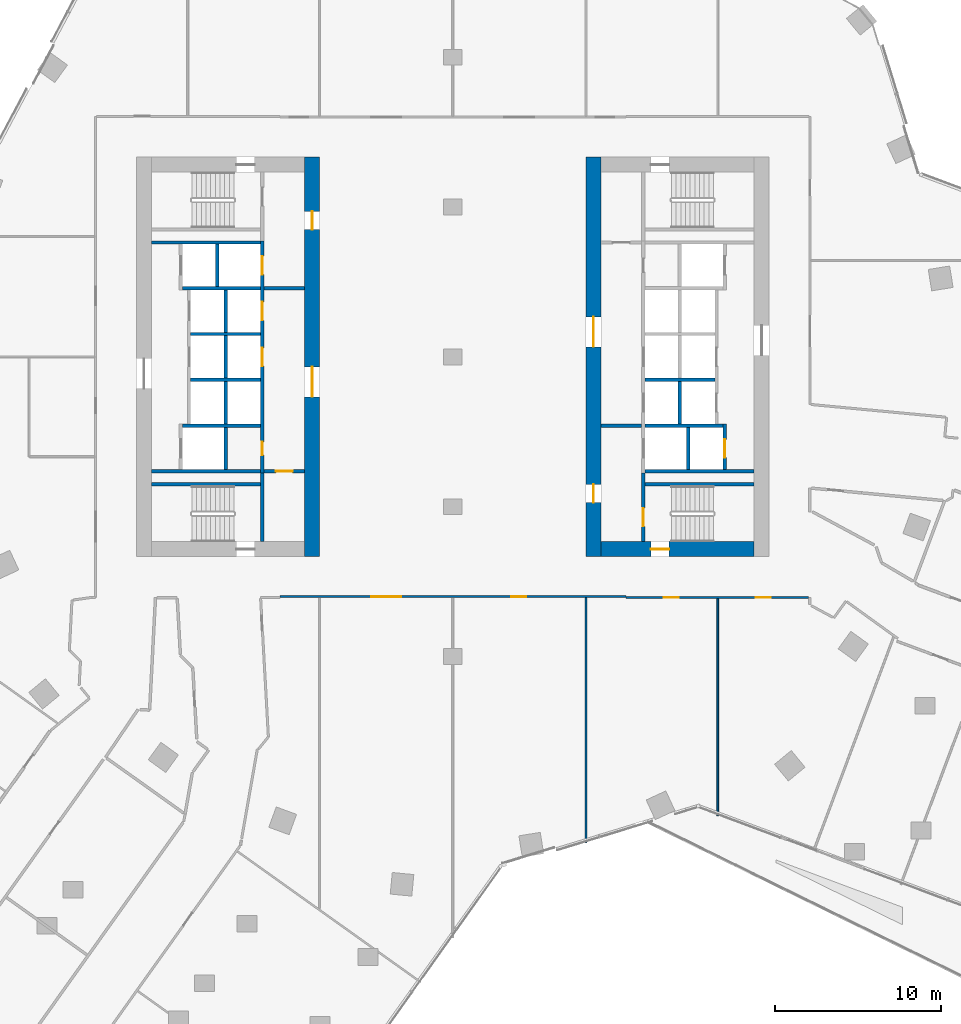
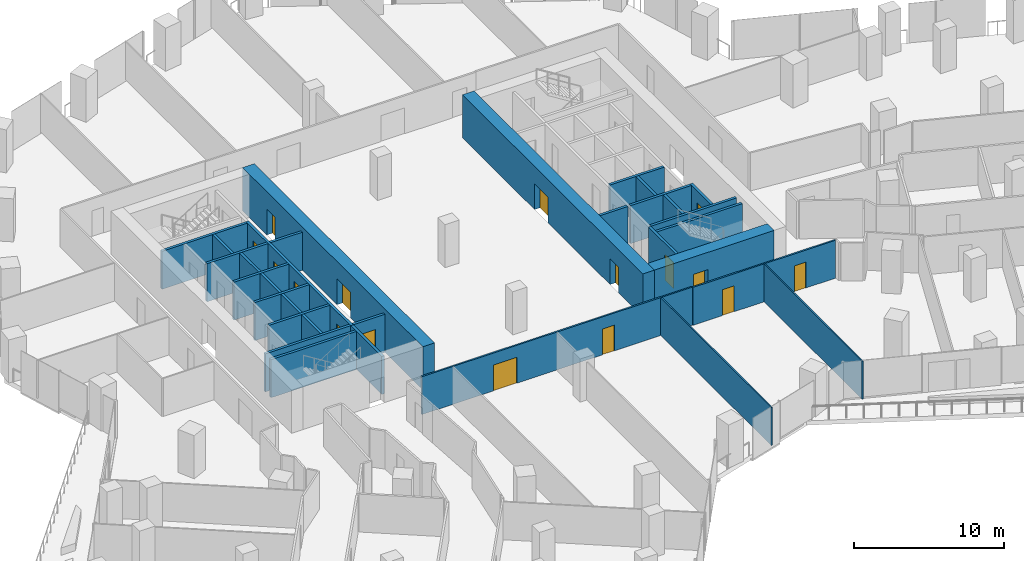
# One storey, part 23 of 30: 32 walls, 16 doors, 16 openings.
"""IFC4 building model written with IfcOpenShell, lengths in metres."""

from ifc_helpers import new_model, si_unit, direction, frame, frame_2d, origin, place, context, subcontext, project, spatial, rectangle, extrude, material, layer, layer_set, type_object, element, fill, save


model = new_model("IFC4")

# Units and contexts
model_context = context("Model", 3, precision=1e-05, world=origin(), true_north=direction((0.0, 1.0)))
body_context = subcontext(model_context, "Body", "Model", "MODEL_VIEW")
ifc_project = project(units=[si_unit("LENGTHUNIT", "METRE"), si_unit("AREAUNIT", "SQUARE_METRE"), si_unit("VOLUMEUNIT", "CUBIC_METRE"), si_unit("PLANEANGLEUNIT", "RADIAN"), si_unit("MASSUNIT", "GRAM", prefix="KILO")], contexts=[model_context])

# Site, building, storey
site_placement = place(None, origin())
site = spatial("IfcSite", under=ifc_project, at=site_placement, CompositionType="ELEMENT")
building_placement = place(site_placement, origin())
building = spatial("IfcBuilding", under=site, at=building_placement, Name="Orlundy Tower", CompositionType="ELEMENT")
storey_placement = place(building_placement, frame((0.0, 0.0, 80.699951171875)))
storey = spatial("IfcBuildingStorey", under=building, at=storey_placement, Name="L19", CompositionType="ELEMENT", Elevation=80.699951171875)

# Wall, openings, doors
ifc_material_1 = material(Name="Concrete C80/95", Category="concrete")
ifc_layer_1 = layer(ifc_material_1, 0.89990234375)
ifc_layer_set_1 = layer_set([ifc_layer_1], Name="CORE WALL 900 C80/95")
wall_type_1 = type_object("IfcWallType", Name="CORE WALL 900 C80/95", PredefinedType="SHEAR", material=ifc_layer_set_1)
wall_1_placement = place(storey_placement, frame((-8.449951171875, -12.0, 0.0), z_axis=(0.0, 0.0, 1.0), x_axis=(0.0, 1.0, 0.0)))
wall_1 = element("IfcWall", 1, at=wall_1_placement, inside=storey, type_object=wall_type_1, Name="Core wall W-E L19", PredefinedType="SHEAR", context=body_context, shape_type="SweptSolid", body=[
    extrude(rectangle(XDim=24.0, YDim=0.89990234375, at=frame_2d((12.0, 0.0))), origin(), (0.0, 0.0, 1.0), 3.5),
])
opening_1_placement = place(wall_1_placement, frame((9.60009765625, 0.0, 0.0)))
opening_1 = element("IfcOpeningElement", 2, at=opening_1_placement, cuts=wall_1, Name="Opening 16009", PredefinedType="OPENING", context=body_context, shape_type="SweptSolid", body=[
    extrude(rectangle(XDim=1.800048828125, YDim=2.10009765625, at=frame_2d((0.89990234375, 1.050048828125))), frame((0.0, 0.4599609375, 0.0), z_axis=(0.0, -1.0, 0.0), x_axis=(1.0, 0.0, 0.0)), (0.0, 0.0, 1.0), 0.919921875),
])
opening_2_placement = place(wall_1_placement, frame((19.64990234375, 0.0, 0.0)))
opening_2 = element("IfcOpeningElement", 3, at=opening_2_placement, cuts=wall_1, Name="Opening 16011", PredefinedType="OPENING", context=body_context, shape_type="SweptSolid", body=[
    extrude(rectangle(XDim=1.10009765625, YDim=2.10009765625, at=frame_2d((0.550048828125, 1.050048828125))), frame((0.0, 0.4599609375, 0.0), z_axis=(0.0, -1.0, 0.0), x_axis=(1.0, 0.0, 0.0)), (0.0, 0.0, 1.0), 0.919921875),
])
ifc_material_2 = material(Name="Steel door set", Category="steel")
door_type_1 = type_object("IfcDoorType", Name="Fire-fighting Lobby Door 1100x2100", OperationType="SINGLE_SWING_LEFT", PredefinedType="DOOR", material=ifc_material_2)
door_1_placement = place(opening_2_placement, origin())
door_1 = element("IfcDoor", 4, at=door_1_placement, inside=storey, type_object=door_type_1, Name="Fire-fighting lobby door 16011", OperationType="SINGLE_SWING_RIGHT", OverallHeight=2.10009765625, OverallWidth=1.10009765625, PredefinedType="DOOR", context=body_context, shape_type="SweptSolid", body=[
    extrude(rectangle(XDim=1.10009765625, YDim=2.10009765625, at=frame_2d((0.550048828125, 1.050048828125))), frame((0.0, 0.02490234375, 0.0), z_axis=(0.0, -1.0, 0.0), x_axis=(1.0, 0.0, 0.0)), (0.0, 0.0, 1.0), 0.050048828125),
])
fill(opening_2, door_1)
ifc_material_3 = material(Name="Timber door set", Category="wood")
door_type_2 = type_object("IfcDoorType", Name="Lobby Door 1800x2100", OperationType="DOUBLE_DOOR_DOUBLE_SWING", PredefinedType="DOOR", material=ifc_material_3)
door_2_placement = place(opening_1_placement, origin())
door_2 = element("IfcDoor", 5, at=door_2_placement, inside=storey, type_object=door_type_2, Name="Lift lobby door 16009", OperationType="SINGLE_SWING_LEFT", OverallHeight=2.10009765625, OverallWidth=1.800048828125, PredefinedType="DOOR", context=body_context, shape_type="SweptSolid", body=[
    extrude(rectangle(XDim=1.800048828125, YDim=2.10009765625, at=frame_2d((0.89990234375, 1.050048828125))), frame((0.0, 0.02490234375, 0.0), z_axis=(0.0, -1.0, 0.0), x_axis=(1.0, 0.0, 0.0)), (0.0, 0.0, 1.0), 0.050048828125),
])
fill(opening_1, door_2)

# Wall, opening, door
wall_2_placement = place(storey_placement, frame((8.89990234375, -11.550048828125, 0.0), z_axis=(0.0, 0.0, 1.0), x_axis=(1.0, 0.0, 0.0)))
wall_2 = element("IfcWall", 6, at=wall_2_placement, inside=storey, type_object=wall_type_1, Name="Core wall E-S L19", PredefinedType="SHEAR", context=body_context, shape_type="SweptSolid", body=[
    extrude(rectangle(XDim=9.2001953125, YDim=0.89990234375, at=frame_2d((4.60009765625, 0.0))), origin(), (0.0, 0.0, 1.0), 3.5),
])
opening_3_placement = place(wall_2_placement, frame((3.0, 0.0, 0.0)))
opening_3 = element("IfcOpeningElement", 7, at=opening_3_placement, cuts=wall_2, Name="Opening 16061", PredefinedType="OPENING", context=body_context, shape_type="SweptSolid", body=[
    extrude(rectangle(XDim=1.10009765625, YDim=2.10009765625, at=frame_2d((0.550048828125, 1.050048828125))), frame((0.0, 0.4599609375, 0.0), z_axis=(0.0, -1.0, 0.0), x_axis=(1.0, 0.0, 0.0)), (0.0, 0.0, 1.0), 0.919921875),
])
ifc_material_4 = material(Name="Steel door set", Category="steel")
door_type_3 = type_object("IfcDoorType", Name="Stair Door 1100x2100", OperationType="SINGLE_SWING_LEFT", PredefinedType="DOOR", material=ifc_material_4)
door_3_placement = place(opening_3_placement, origin())
door_3 = element("IfcDoor", 8, at=door_3_placement, inside=storey, type_object=door_type_3, Name="Stair door 16061", OperationType="SINGLE_SWING_LEFT", OverallHeight=2.10009765625, OverallWidth=1.10009765625, PredefinedType="DOOR", context=body_context, shape_type="SweptSolid", body=[
    extrude(rectangle(XDim=1.10009765625, YDim=2.10009765625, at=frame_2d((0.550048828125, 1.050048828125))), frame((0.0, 0.02490234375, 0.0), z_axis=(0.0, -1.0, 0.0), x_axis=(1.0, 0.0, 0.0)), (0.0, 0.0, 1.0), 0.050048828125),
])
fill(opening_3, door_3)

# Wall, openings, doors
wall_3_placement = place(storey_placement, frame((8.449951171875, -12.0, 0.0), z_axis=(0.0, 0.0, 1.0), x_axis=(0.0, 1.0, 0.0)))
wall_3 = element("IfcWall", 9, at=wall_3_placement, inside=storey, type_object=wall_type_1, Name="Core wall E-W L19", PredefinedType="SHEAR", context=body_context, shape_type="SweptSolid", body=[
    extrude(rectangle(XDim=24.0, YDim=0.89990234375, at=frame_2d((12.0, 0.0))), origin(), (0.0, 0.0, 1.0), 3.5),
])
opening_4_placement = place(wall_3_placement, frame((12.60009765625, 0.0, 0.0)))
opening_4 = element("IfcOpeningElement", 10, at=opening_4_placement, cuts=wall_3, Name="Opening 16058", PredefinedType="OPENING", context=body_context, shape_type="SweptSolid", body=[
    extrude(rectangle(XDim=1.800048828125, YDim=2.10009765625, at=frame_2d((0.89990234375, 1.050048828125))), frame((0.0, 0.4599609375, 0.0), z_axis=(0.0, -1.0, 0.0), x_axis=(1.0, 0.0, 0.0)), (0.0, 0.0, 1.0), 0.919921875),
])
opening_5_placement = place(wall_3_placement, frame((3.25, 0.0, 0.0)))
opening_5 = element("IfcOpeningElement", 11, at=opening_5_placement, cuts=wall_3, Name="Opening 16060", PredefinedType="OPENING", context=body_context, shape_type="SweptSolid", body=[
    extrude(rectangle(XDim=1.10009765625, YDim=2.10009765625, at=frame_2d((0.550048828125, 1.050048828125))), frame((0.0, 0.4599609375, 0.0), z_axis=(0.0, -1.0, 0.0), x_axis=(1.0, 0.0, 0.0)), (0.0, 0.0, 1.0), 0.919921875),
])
door_4_placement = place(opening_5_placement, origin())
door_4 = element("IfcDoor", 12, at=door_4_placement, inside=storey, type_object=door_type_1, Name="Fire-fighting lobby door 16060", OperationType="SINGLE_SWING_LEFT", OverallHeight=2.10009765625, OverallWidth=1.10009765625, PredefinedType="DOOR", context=body_context, shape_type="SweptSolid", body=[
    extrude(rectangle(XDim=1.10009765625, YDim=2.10009765625, at=frame_2d((0.550048828125, 1.050048828125))), frame((0.0, 0.02490234375, 0.0), z_axis=(0.0, -1.0, 0.0), x_axis=(1.0, 0.0, 0.0)), (0.0, 0.0, 1.0), 0.050048828125),
])
fill(opening_5, door_4)
door_5_placement = place(opening_4_placement, origin())
door_5 = element("IfcDoor", 13, at=door_5_placement, inside=storey, type_object=door_type_2, Name="Lift lobby door 16058", OperationType="SINGLE_SWING_RIGHT", OverallHeight=2.10009765625, OverallWidth=1.800048828125, PredefinedType="DOOR", context=body_context, shape_type="SweptSolid", body=[
    extrude(rectangle(XDim=1.800048828125, YDim=2.10009765625, at=frame_2d((0.89990234375, 1.050048828125))), frame((0.0, 0.02490234375, 0.0), z_axis=(0.0, -1.0, 0.0), x_axis=(1.0, 0.0, 0.0)), (0.0, 0.0, 1.0), 0.050048828125),
])
fill(opening_4, door_5)

# Walls
ifc_material_5 = material(Name="Gypsum board partition")
ifc_layer_2 = layer(ifc_material_5, 0.10009765625)
ifc_layer_set_2 = layer_set([ifc_layer_2], Name="Floor partition 100")
wall_type_2 = type_object("IfcWallType", Name="Floor partition 100", PredefinedType="PARTITIONING", material=ifc_layer_set_2)
wall_4_placement = place(storey_placement, frame((15.9169921875, -27.570068359375, 0.0), z_axis=(0.0, 0.0, 1.0), x_axis=(0.0, 1.0, 0.0)))
element("IfcWall", 14, at=wall_4_placement, inside=storey, type_object=wall_type_2, Name="wall-int-L19-094", PredefinedType="PARTITIONING", context=body_context, shape_type="SweptSolid", body=[
    extrude(rectangle(XDim=13.05615234375, YDim=0.10009765625, at=frame_2d((6.528076171875, 0.0))), origin(), (0.0, 0.0, 1.0), 3.080078125),
])
wall_5_placement = place(storey_placement, frame((8.0, -29.18603515625, 0.0), z_axis=(0.0, 0.0, 1.0), x_axis=(0.0, 1.0, 0.0)))
element("IfcWall", 15, at=wall_5_placement, inside=storey, type_object=wall_type_2, Name="wall-int-L19-096", PredefinedType="PARTITIONING", context=body_context, shape_type="SweptSolid", body=[
    extrude(rectangle(XDim=14.72314453125, YDim=0.10009765625, at=frame_2d((7.361572265625, 0.0))), origin(), (0.0, 0.0, 1.0), 3.080078125),
])

# Wall, openings, doors
ifc_material_6 = material(Name="Gypsum board partition, double layer")
ifc_layer_3 = layer(ifc_material_6, 0.125)
ifc_layer_set_3 = layer_set([ifc_layer_3], Name="Floor partition 125")
wall_type_3 = type_object("IfcWallType", Name="Floor partition 125", PredefinedType="PARTITIONING", material=ifc_layer_set_3)
wall_6_placement = place(storey_placement, frame((21.3779296875, -14.450927734375, 0.0), z_axis=(0.0, 0.0, 1.0), x_axis=(-1.0, 0.0, 0.0)))
wall_6 = element("IfcWall", 16, at=wall_6_placement, inside=storey, type_object=wall_type_3, Name="wall-int-L19-042", PredefinedType="PARTITIONING", context=body_context, shape_type="SweptSolid", body=[
    extrude(rectangle(XDim=10.98681640625, YDim=0.125, at=frame_2d((5.493408203125, 0.0))), origin(), (0.0, 0.0, 1.0), 3.080078125),
])
opening_6_placement = place(wall_6_placement, frame((7.810546875, 0.0, 0.0)))
opening_6 = element("IfcOpeningElement", 17, at=opening_6_placement, cuts=wall_6, Name="Opening 16125", PredefinedType="OPENING", context=body_context, shape_type="SweptSolid", body=[
    extrude(rectangle(XDim=0.89990234375, YDim=2.10009765625, at=frame_2d((0.449951171875, 1.050048828125))), frame((0.0, 0.072509765625, 0.0), z_axis=(0.0, -1.0, 0.0), x_axis=(1.0, 0.0, 0.0)), (0.0, 0.0, 1.0), 0.14501953125),
])
opening_7_placement = place(wall_6_placement, frame((2.28759765625, 0.0, 0.0)))
opening_7 = element("IfcOpeningElement", 18, at=opening_7_placement, cuts=wall_6, Name="Opening 16126", PredefinedType="OPENING", context=body_context, shape_type="SweptSolid", body=[
    extrude(rectangle(XDim=0.89990234375, YDim=2.10009765625, at=frame_2d((0.449951171875, 1.050048828125))), frame((0.0, 0.072509765625, 0.0), z_axis=(0.0, -1.0, 0.0), x_axis=(1.0, 0.0, 0.0)), (0.0, 0.0, 1.0), 0.14501953125),
])
ifc_material_7 = material(Name="Timber door leaf", Category="wood")
door_type_4 = type_object("IfcDoorType", Name="Floor door single 900 FD30S", OperationType="NOTDEFINED", PredefinedType="DOOR", material=ifc_material_7)
door_6_placement = place(opening_6_placement, origin())
door_6 = element("IfcDoor", 19, at=door_6_placement, inside=storey, type_object=door_type_4, Name="Door 16125", OperationType="SINGLE_SWING_RIGHT", OverallHeight=2.10009765625, OverallWidth=0.89990234375, PredefinedType="DOOR", context=body_context, shape_type="SweptSolid", body=[
    extrude(rectangle(XDim=0.89990234375, YDim=2.10009765625, at=frame_2d((0.449951171875, 1.050048828125))), frame((0.0, 0.02490234375, 0.0), z_axis=(0.0, -1.0, 0.0), x_axis=(1.0, 0.0, 0.0)), (0.0, 0.0, 1.0), 0.050048828125),
])
fill(opening_6, door_6)
door_7_placement = place(opening_7_placement, origin())
door_7 = element("IfcDoor", 20, at=door_7_placement, inside=storey, type_object=door_type_4, Name="Door 16126", OperationType="SINGLE_SWING_LEFT", OverallHeight=2.10009765625, OverallWidth=0.89990234375, PredefinedType="DOOR", context=body_context, shape_type="SweptSolid", body=[
    extrude(rectangle(XDim=0.89990234375, YDim=2.10009765625, at=frame_2d((0.449951171875, 1.050048828125))), frame((0.0, 0.02490234375, 0.0), z_axis=(0.0, -1.0, 0.0), x_axis=(1.0, 0.0, 0.0)), (0.0, 0.0, 1.0), 0.050048828125),
])
fill(opening_7, door_7)

wall_7_placement = place(storey_placement, frame((10.39111328125, -14.40087890625, 0.0), z_axis=(0.0, 0.0, 1.0), x_axis=(-1.0, 0.0, 0.0)))
wall_7 = element("IfcWall", 21, at=wall_7_placement, inside=storey, type_object=wall_type_3, Name="wall-int-L19-043", PredefinedType="PARTITIONING", context=body_context, shape_type="SweptSolid", body=[
    extrude(rectangle(XDim=20.781005859375, YDim=0.125, at=frame_2d((10.390625, 0.0))), origin(), (0.0, 0.0, 1.0), 3.080078125),
])
opening_8_placement = place(wall_7_placement, frame((13.490966796875, 0.0, 0.0)))
opening_8 = element("IfcOpeningElement", 22, at=opening_8_placement, cuts=wall_7, Name="Opening 16123", PredefinedType="OPENING", context=body_context, shape_type="SweptSolid", body=[
    extrude(rectangle(XDim=1.800048828125, YDim=2.10009765625, at=frame_2d((0.89990234375, 1.050048828125))), frame((0.0, 0.072509765625, 0.0), z_axis=(0.0, -1.0, 0.0), x_axis=(1.0, 0.0, 0.0)), (0.0, 0.0, 1.0), 0.14501953125),
])
opening_9_placement = place(wall_7_placement, frame((5.990966796875, 0.0, 0.0)))
opening_9 = element("IfcOpeningElement", 23, at=opening_9_placement, cuts=wall_7, Name="Opening 16124", PredefinedType="OPENING", context=body_context, shape_type="SweptSolid", body=[
    extrude(rectangle(XDim=0.89990234375, YDim=2.10009765625, at=frame_2d((0.449951171875, 1.050048828125))), frame((0.0, 0.072509765625, 0.0), z_axis=(0.0, -1.0, 0.0), x_axis=(1.0, 0.0, 0.0)), (0.0, 0.0, 1.0), 0.14501953125),
])
ifc_material_8 = material(Name="Timber door leaf", Category="wood")
door_type_5 = type_object("IfcDoorType", Name="Floor door double 1800 FD30S", OperationType="NOTDEFINED", PredefinedType="DOOR", material=ifc_material_8)
door_8_placement = place(opening_8_placement, origin())
door_8 = element("IfcDoor", 24, at=door_8_placement, inside=storey, type_object=door_type_5, Name="Door 16123", OperationType="DOUBLE_DOOR_SINGLE_SWING", OverallHeight=2.10009765625, OverallWidth=1.800048828125, PredefinedType="DOOR", context=body_context, shape_type="SweptSolid", body=[
    extrude(rectangle(XDim=1.800048828125, YDim=2.10009765625, at=frame_2d((0.89990234375, 1.050048828125))), frame((0.0, 0.02490234375, 0.0), z_axis=(0.0, -1.0, 0.0), x_axis=(1.0, 0.0, 0.0)), (0.0, 0.0, 1.0), 0.050048828125),
])
fill(opening_8, door_8)
door_9_placement = place(opening_9_placement, origin())
door_9 = element("IfcDoor", 25, at=door_9_placement, inside=storey, type_object=door_type_4, Name="Door 16124", OperationType="SINGLE_SWING_LEFT", OverallHeight=2.10009765625, OverallWidth=0.89990234375, PredefinedType="DOOR", context=body_context, shape_type="SweptSolid", body=[
    extrude(rectangle(XDim=0.89990234375, YDim=2.10009765625, at=frame_2d((0.449951171875, 1.050048828125))), frame((0.0, 0.02490234375, 0.0), z_axis=(0.0, -1.0, 0.0), x_axis=(1.0, 0.0, 0.0)), (0.0, 0.0, 1.0), 0.050048828125),
])
fill(opening_9, door_9)

# Walls
ifc_material_9 = material(Name="Concrete C40/50", Category="concrete")
ifc_layer_4 = layer(ifc_material_9, 0.199951171875)
ifc_layer_set_4 = layer_set([ifc_layer_4], Name="Load-bearing Shaft Wall 200")
wall_type_4 = type_object("IfcWallType", Name="Load-bearing Shaft Wall 200", PredefinedType="SOLIDWALL", material=ifc_layer_set_4)
wall_8_placement = place(storey_placement, frame((-11.43994140625, -11.10009765625, 0.0), z_axis=(0.0, 0.0, 1.0), x_axis=(0.0, 1.0, 0.0)))
element("IfcWall", 26, at=wall_8_placement, inside=storey, type_object=wall_type_4, Name="Shaft wall W16-stair-end-s", PredefinedType="SOLIDWALL", context=body_context, shape_type="SweptSolid", body=[
    extrude(rectangle(XDim=4.125, YDim=0.199951171875, at=frame_2d((2.0625, 0.0))), origin(), (0.0, 0.0, 1.0), 3.090087890625),
])
wall_9_placement = place(storey_placement, frame((-11.5400390625, -7.64990234375, 0.0), z_axis=(0.0, 0.0, 1.0), x_axis=(-1.0, 0.0, 0.0)))
element("IfcWall", 27, at=wall_9_placement, inside=storey, type_object=wall_type_4, Name="Shaft wall W16-stair-side-s", PredefinedType="SOLIDWALL", context=body_context, shape_type="SweptSolid", body=[
    extrude(rectangle(XDim=6.56005859375, YDim=0.199951171875, at=frame_2d((3.280029296875, 0.0))), origin(), (0.0, 0.0, 1.0), 3.090087890625),
])

# Wall, opening, door
wall_10_placement = place(storey_placement, frame((11.43994140625, -6.97509765625, 0.0), z_axis=(0.0, 0.0, 1.0), x_axis=(0.0, -1.0, 0.0)))
wall_10 = element("IfcWall", 28, at=wall_10_placement, inside=storey, type_object=wall_type_4, Name="Shaft wall E16-stair-end-n", PredefinedType="SOLIDWALL", context=body_context, shape_type="SweptSolid", body=[
    extrude(rectangle(XDim=4.125, YDim=0.199951171875, at=frame_2d((2.0625, 0.0))), origin(), (0.0, 0.0, 1.0), 3.090087890625),
])
opening_10_placement = place(wall_10_placement, frame((2.10009765625, 0.0, 0.0)))
opening_10 = element("IfcOpeningElement", 29, at=opening_10_placement, cuts=wall_10, Name="Opening 16063", PredefinedType="OPENING", context=body_context, shape_type="SweptSolid", body=[
    extrude(rectangle(XDim=1.10009765625, YDim=2.10009765625, at=frame_2d((0.550048828125, 1.050048828125))), frame((0.0, 0.110107421875, 0.0), z_axis=(0.0, -1.0, 0.0), x_axis=(1.0, 0.0, 0.0)), (0.0, 0.0, 1.0), 0.22021484375),
])
door_10_placement = place(opening_10_placement, origin())
door_10 = element("IfcDoor", 30, at=door_10_placement, inside=storey, type_object=door_type_1, Name="Fire-fighting lobby to stair door 16063", OperationType="SINGLE_SWING_RIGHT", OverallHeight=2.10009765625, OverallWidth=1.10009765625, PredefinedType="DOOR", context=body_context, shape_type="SweptSolid", body=[
    extrude(rectangle(XDim=1.10009765625, YDim=2.10009765625, at=frame_2d((0.550048828125, 1.050048828125))), frame((0.0, 0.02490234375, 0.0), z_axis=(0.0, -1.0, 0.0), x_axis=(1.0, 0.0, 0.0)), (0.0, 0.0, 1.0), 0.050048828125),
])
fill(opening_10, door_10)

# Walls
wall_11_placement = place(storey_placement, frame((11.5400390625, -7.64990234375, 0.0), z_axis=(0.0, 0.0, 1.0), x_axis=(1.0, 0.0, 0.0)))
element("IfcWall", 31, at=wall_11_placement, inside=storey, type_object=wall_type_4, Name="Shaft wall E16-stair-side-n", PredefinedType="SOLIDWALL", context=body_context, shape_type="SweptSolid", body=[
    extrude(rectangle(XDim=6.56005859375, YDim=0.199951171875, at=frame_2d((3.280029296875, 0.0))), origin(), (0.0, 0.0, 1.0), 3.090087890625),
])
ifc_material_10 = material(Name="Gypsum board partition on steel studs", Category="steel")
ifc_layer_5 = layer(ifc_material_10, 0.199951171875)
ifc_layer_set_5 = layer_set([ifc_layer_5], Name="Partition 200")
wall_type_5 = type_object("IfcWallType", Name="Partition 200", PredefinedType="PARTITIONING", material=ifc_layer_set_5)
wall_12_placement = place(storey_placement, frame((-8.89990234375, 4.125, 0.0), z_axis=(0.0, 0.0, 1.0), x_axis=(-1.0, 0.0, 0.0)))
element("IfcWall", 32, at=wall_12_placement, inside=storey, type_object=wall_type_5, Name="Partition wall W16-lobby-n", PredefinedType="PARTITIONING", context=body_context, shape_type="SweptSolid", body=[
    extrude(rectangle(XDim=2.440185546875, YDim=0.199951171875, at=frame_2d((1.22021484375, 0.0))), origin(), (0.0, 0.0, 1.0), 3.090087890625),
])

# Wall, opening, door
wall_13_placement = place(storey_placement, frame((-8.89990234375, -6.875, 0.0), z_axis=(0.0, 0.0, 1.0), x_axis=(-1.0, 0.0, 0.0)))
wall_13 = element("IfcWall", 33, at=wall_13_placement, inside=storey, type_object=wall_type_5, Name="Partition wall W16-end-s", PredefinedType="PARTITIONING", context=body_context, shape_type="SweptSolid", body=[
    extrude(rectangle(XDim=2.440185546875, YDim=0.199951171875, at=frame_2d((1.22021484375, 0.0))), origin(), (0.0, 0.0, 1.0), 3.090087890625),
])
opening_11_placement = place(wall_13_placement, frame((0.719970703125, 0.0, 0.0)))
opening_11 = element("IfcOpeningElement", 34, at=opening_11_placement, cuts=wall_13, Name="Opening 16015", PredefinedType="OPENING", context=body_context, shape_type="SweptSolid", body=[
    extrude(rectangle(XDim=1.0, YDim=2.10009765625, at=frame_2d((0.5, 1.050048828125))), frame((0.0, 0.110107421875, 0.0), z_axis=(0.0, -1.0, 0.0), x_axis=(1.0, 0.0, 0.0)), (0.0, 0.0, 1.0), 0.22021484375),
])
ifc_material_11 = material(Name="Timber door set", Category="wood")
door_type_6 = type_object("IfcDoorType", Name="Accessible Door 1000x2100", OperationType="SINGLE_SWING_LEFT", PredefinedType="DOOR", material=ifc_material_11)
door_11_placement = place(opening_11_placement, origin())
door_11 = element("IfcDoor", 35, at=door_11_placement, inside=storey, type_object=door_type_6, Name="Accessible WC door 16015", OperationType="SINGLE_SWING_RIGHT", OverallHeight=2.10009765625, OverallWidth=1.0, PredefinedType="DOOR", context=body_context, shape_type="SweptSolid", body=[
    extrude(rectangle(XDim=1.0, YDim=2.10009765625, at=frame_2d((0.5, 1.050048828125))), frame((0.0, 0.02490234375, 0.0), z_axis=(0.0, -1.0, 0.0), x_axis=(1.0, 0.0, 0.0)), (0.0, 0.0, 1.0), 0.050048828125),
])
fill(opening_11, door_11)

# Walls
wall_14_placement = place(storey_placement, frame((8.89990234375, -4.125, 0.0), z_axis=(0.0, 0.0, 1.0), x_axis=(1.0, 0.0, 0.0)))
element("IfcWall", 36, at=wall_14_placement, inside=storey, type_object=wall_type_5, Name="Partition wall E16-lobby-n", PredefinedType="PARTITIONING", context=body_context, shape_type="SweptSolid", body=[
    extrude(rectangle(XDim=2.440185546875, YDim=0.199951171875, at=frame_2d((1.22021484375, 0.0))), origin(), (0.0, 0.0, 1.0), 3.090087890625),
])
ifc_material_12 = material(Name="Fire-rated blockwork shaft wall", Category="masonry")
ifc_layer_6 = layer(ifc_material_12, 0.199951171875)
ifc_layer_set_6 = layer_set([ifc_layer_6], Name="Shaft Wall 200")
wall_type_6 = type_object("IfcWallType", Name="Shaft Wall 200", PredefinedType="SOLIDWALL", material=ifc_layer_set_6)
for number, where, z_axis, x_axis, name in (
    (37, (-11.5400390625, 6.875, 0.0), (0.0, 0.0, 1.0), (-1.0, 0.0, 0.0), "Shaft wall W16-zone-n"),
    (38, (-11.5400390625, -6.875, 0.0), (0.0, 0.0, 1.0), (-1.0, 0.0, 0.0), "Shaft wall W16-zone-s"),
):
    element("IfcWall", number, at=place(storey_placement, frame(where, z_axis=z_axis, x_axis=x_axis)), inside=storey, type_object=wall_type_6, Name=name, PredefinedType="SOLIDWALL", context=body_context, shape_type="SweptSolid", body=[
        extrude(rectangle(XDim=6.56005859375, YDim=0.199951171875, at=frame_2d((3.280029296875, 0.0))), origin(), (0.0, 0.0, 1.0), 3.090087890625),
    ])
wall_15_placement = place(storey_placement, frame((-11.5400390625, -4.125, 0.0), z_axis=(0.0, 0.0, 1.0), x_axis=(-1.0, 0.0, 0.0)))
element("IfcWall", 39, at=wall_15_placement, inside=storey, type_object=wall_type_6, Name="Shaft wall W16-cross-4.125", PredefinedType="SOLIDWALL", context=body_context, shape_type="SweptSolid", body=[
    extrude(rectangle(XDim=4.699951171875, YDim=0.199951171875, at=frame_2d((2.35009765625, 0.0))), origin(), (0.0, 0.0, 1.0), 3.090087890625),
])
for number, where, z_axis, x_axis, name in (
    (40, (-11.5400390625, -1.375, 0.0), (0.0, 0.0, 1.0), (-1.0, 0.0, 0.0), "Shaft wall W16-cross-1.375"),
    (41, (-11.5400390625, 1.375, 0.0), (0.0, 0.0, 1.0), (-1.0, 0.0, 0.0), "Shaft wall W16-cross+1.375"),
):
    element("IfcWall", number, at=place(storey_placement, frame(where, z_axis=z_axis, x_axis=x_axis)), inside=storey, type_object=wall_type_6, Name=name, PredefinedType="SOLIDWALL", context=body_context, shape_type="SweptSolid", body=[
        extrude(rectangle(XDim=4.199951171875, YDim=0.199951171875, at=frame_2d((2.10009765625, 0.0))), origin(), (0.0, 0.0, 1.0), 3.090087890625),
    ])
wall_16_placement = place(storey_placement, frame((-11.5400390625, 4.125, 0.0), z_axis=(0.0, 0.0, 1.0), x_axis=(-1.0, 0.0, 0.0)))
element("IfcWall", 42, at=wall_16_placement, inside=storey, type_object=wall_type_6, Name="Shaft wall W16-cross+4.125", PredefinedType="SOLIDWALL", context=body_context, shape_type="SweptSolid", body=[
    extrude(rectangle(XDim=4.699951171875, YDim=0.199951171875, at=frame_2d((2.35009765625, 0.0))), origin(), (0.0, 0.0, 1.0), 3.090087890625),
])

# Wall, openings, doors
wall_17_placement = place(storey_placement, frame((-11.43994140625, -6.97509765625, 0.0), z_axis=(0.0, 0.0, 1.0), x_axis=(0.0, 1.0, 0.0)))
wall_17 = element("IfcWall", 43, at=wall_17_placement, inside=storey, type_object=wall_type_6, Name="Shaft wall W16-front-h", PredefinedType="SOLIDWALL", context=body_context, shape_type="SweptSolid", body=[
    extrude(rectangle(XDim=13.9501953125, YDim=0.199951171875, at=frame_2d((6.97509765625, 0.0))), origin(), (0.0, 0.0, 1.0), 3.090087890625),
])
opening_12_placement = place(wall_17_placement, frame((6.425048828125, 0.0, 0.0)))
opening_12 = element("IfcOpeningElement", 44, at=opening_12_placement, cuts=wall_17, Name="Opening 16002", PredefinedType="OPENING", context=body_context, shape_type="SweptSolid", body=[
    extrude(rectangle(XDim=1.10009765625, YDim=2.10009765625, at=frame_2d((0.550048828125, 1.050048828125))), frame((0.0, 0.110107421875, 0.0), z_axis=(0.0, -1.0, 0.0), x_axis=(1.0, 0.0, 0.0)), (0.0, 0.0, 1.0), 0.22021484375),
])
opening_13_placement = place(wall_17_placement, frame((9.175048828125, 0.0, 0.0)))
opening_13 = element("IfcOpeningElement", 45, at=opening_13_placement, cuts=wall_17, Name="Opening 16004", PredefinedType="OPENING", context=body_context, shape_type="SweptSolid", body=[
    extrude(rectangle(XDim=1.10009765625, YDim=2.10009765625, at=frame_2d((0.550048828125, 1.050048828125))), frame((0.0, 0.110107421875, 0.0), z_axis=(0.0, -1.0, 0.0), x_axis=(1.0, 0.0, 0.0)), (0.0, 0.0, 1.0), 0.22021484375),
])
opening_14_placement = place(wall_17_placement, frame((11.925048828125, 0.0, 0.0)))
opening_14 = element("IfcOpeningElement", 46, at=opening_14_placement, cuts=wall_17, Name="Opening 16006", PredefinedType="OPENING", context=body_context, shape_type="SweptSolid", body=[
    extrude(rectangle(XDim=1.10009765625, YDim=2.10009765625, at=frame_2d((0.550048828125, 1.050048828125))), frame((0.0, 0.110107421875, 0.0), z_axis=(0.0, -1.0, 0.0), x_axis=(1.0, 0.0, 0.0)), (0.0, 0.0, 1.0), 0.22021484375),
])
opening_15_placement = place(wall_17_placement, frame((1.074951171875, 0.0, 0.0)))
opening_15 = element("IfcOpeningElement", 47, at=opening_15_placement, cuts=wall_17, Name="Opening 16008", PredefinedType="OPENING", context=body_context, shape_type="SweptSolid", body=[
    extrude(rectangle(XDim=0.800048828125, YDim=2.10009765625, at=frame_2d((0.39990234375, 1.050048828125))), frame((0.0, 0.110107421875, 0.0), z_axis=(0.0, -1.0, 0.0), x_axis=(1.0, 0.0, 0.0)), (0.0, 0.0, 1.0), 0.22021484375),
])
ifc_material_13 = material(Name="Steel door set", Category="steel")
door_type_7 = type_object("IfcDoorType", Name="Landing Door 1100x2100", OperationType="DOUBLE_DOOR_SLIDING", PredefinedType="DOOR", material=ifc_material_13)
door_12_placement = place(opening_12_placement, origin())
door_12 = element("IfcDoor", 48, at=door_12_placement, inside=storey, type_object=door_type_7, Name="Lift landing door LP-05 16002", OperationType="DOUBLE_DOOR_SLIDING", OverallHeight=2.10009765625, OverallWidth=1.10009765625, PredefinedType="DOOR", context=body_context, shape_type="SweptSolid", body=[
    extrude(rectangle(XDim=1.10009765625, YDim=2.10009765625, at=frame_2d((0.550048828125, 1.050048828125))), frame((0.0, 0.02490234375, 0.0), z_axis=(0.0, -1.0, 0.0), x_axis=(1.0, 0.0, 0.0)), (0.0, 0.0, 1.0), 0.050048828125),
])
fill(opening_12, door_12)
door_13_placement = place(opening_13_placement, origin())
door_13 = element("IfcDoor", 49, at=door_13_placement, inside=storey, type_object=door_type_7, Name="Lift landing door LP-02 16004", OperationType="DOUBLE_DOOR_SLIDING", OverallHeight=2.10009765625, OverallWidth=1.10009765625, PredefinedType="DOOR", context=body_context, shape_type="SweptSolid", body=[
    extrude(rectangle(XDim=1.10009765625, YDim=2.10009765625, at=frame_2d((0.550048828125, 1.050048828125))), frame((0.0, 0.02490234375, 0.0), z_axis=(0.0, -1.0, 0.0), x_axis=(1.0, 0.0, 0.0)), (0.0, 0.0, 1.0), 0.050048828125),
])
fill(opening_13, door_13)
door_14_placement = place(opening_14_placement, origin())
door_14 = element("IfcDoor", 50, at=door_14_placement, inside=storey, type_object=door_type_7, Name="Lift landing door FL1 16006", OperationType="DOUBLE_DOOR_SLIDING", OverallHeight=2.10009765625, OverallWidth=1.10009765625, PredefinedType="DOOR", context=body_context, shape_type="SweptSolid", body=[
    extrude(rectangle(XDim=1.10009765625, YDim=2.10009765625, at=frame_2d((0.550048828125, 1.050048828125))), frame((0.0, 0.02490234375, 0.0), z_axis=(0.0, -1.0, 0.0), x_axis=(1.0, 0.0, 0.0)), (0.0, 0.0, 1.0), 0.050048828125),
])
fill(opening_14, door_14)
ifc_material_14 = material(Name="Timber door set", Category="wood")
door_type_8 = type_object("IfcDoorType", Name="Riser Door 800x2100", OperationType="SINGLE_SWING_LEFT", PredefinedType="DOOR", material=ifc_material_14)
door_15_placement = place(opening_15_placement, origin())
door_15 = element("IfcDoor", 51, at=door_15_placement, inside=storey, type_object=door_type_8, Name="Pantry Store door 16008", OperationType="SINGLE_SWING_LEFT", OverallHeight=2.10009765625, OverallWidth=0.800048828125, PredefinedType="DOOR", context=body_context, shape_type="SweptSolid", body=[
    extrude(rectangle(XDim=0.800048828125, YDim=2.10009765625, at=frame_2d((0.39990234375, 1.050048828125))), frame((0.0, 0.02490234375, 0.0), z_axis=(0.0, -1.0, 0.0), x_axis=(1.0, 0.0, 0.0)), (0.0, 0.0, 1.0), 0.050048828125),
])
fill(opening_15, door_15)

# Walls
for number, where, z_axis, x_axis, name in (
    (52, (-13.639892578125, -6.77490234375, 0.0), (0.0, 0.0, 1.0), (0.0, 1.0, 0.0), "Shaft wall W16-mid-a"),
    (53, (-13.639892578125, -4.02490234375, 0.0), (0.0, 0.0, 1.0), (0.0, 1.0, 0.0), "Shaft wall W16-mid-a.1"),
    (54, (-13.639892578125, -1.27490234375, 0.0), (0.0, 0.0, 1.0), (0.0, 1.0, 0.0), "Shaft wall W16-mid-a.2"),
    (55, (-13.639892578125, 1.47509765625, 0.0), (0.0, 0.0, 1.0), (0.0, 1.0, 0.0), "Shaft wall W16-mid-a.3"),
    (56, (-14.139892578125, 4.22509765625, 0.0), (0.0, 0.0, 1.0), (0.0, 1.0, 0.0), "Shaft wall W16-mid-b"),
):
    element("IfcWall", number, at=place(storey_placement, frame(where, z_axis=z_axis, x_axis=x_axis)), inside=storey, type_object=wall_type_6, Name=name, PredefinedType="SOLIDWALL", context=body_context, shape_type="SweptSolid", body=[
        extrude(rectangle(XDim=2.5498046875, YDim=0.199951171875, at=frame_2d((1.27490234375, 0.0))), origin(), (0.0, 0.0, 1.0), 3.090087890625),
    ])
wall_18_placement = place(storey_placement, frame((11.5400390625, -6.875, 0.0), z_axis=(0.0, 0.0, 1.0), x_axis=(1.0, 0.0, 0.0)))
element("IfcWall", 57, at=wall_18_placement, inside=storey, type_object=wall_type_6, Name="Shaft wall E16-zone-n", PredefinedType="SOLIDWALL", context=body_context, shape_type="SweptSolid", body=[
    extrude(rectangle(XDim=6.56005859375, YDim=0.199951171875, at=frame_2d((3.280029296875, 0.0))), origin(), (0.0, 0.0, 1.0), 3.090087890625),
])
wall_19_placement = place(storey_placement, frame((11.5400390625, -1.375, 0.0), z_axis=(0.0, 0.0, 1.0), x_axis=(1.0, 0.0, 0.0)))
element("IfcWall", 58, at=wall_19_placement, inside=storey, type_object=wall_type_6, Name="Shaft wall E16-cross+1.375", PredefinedType="SOLIDWALL", context=body_context, shape_type="SweptSolid", body=[
    extrude(rectangle(XDim=4.199951171875, YDim=0.199951171875, at=frame_2d((2.10009765625, 0.0))), origin(), (0.0, 0.0, 1.0), 3.090087890625),
])
wall_20_placement = place(storey_placement, frame((11.5400390625, -4.125, 0.0), z_axis=(0.0, 0.0, 1.0), x_axis=(1.0, 0.0, 0.0)))
element("IfcWall", 59, at=wall_20_placement, inside=storey, type_object=wall_type_6, Name="Shaft wall E16-cross+4.125", PredefinedType="SOLIDWALL", context=body_context, shape_type="SweptSolid", body=[
    extrude(rectangle(XDim=4.699951171875, YDim=0.199951171875, at=frame_2d((2.35009765625, 0.0))), origin(), (0.0, 0.0, 1.0), 3.090087890625),
])
for number, where, z_axis, x_axis, name in (
    (60, (13.639892578125, -1.47509765625, 0.0), (0.0, 0.0, 1.0), (0.0, -1.0, 0.0), "Shaft wall E16-mid-a.3"),
    (61, (14.139892578125, -4.22509765625, 0.0), (0.0, 0.0, 1.0), (0.0, -1.0, 0.0), "Shaft wall E16-mid-b"),
):
    element("IfcWall", number, at=place(storey_placement, frame(where, z_axis=z_axis, x_axis=x_axis)), inside=storey, type_object=wall_type_6, Name=name, PredefinedType="SOLIDWALL", context=body_context, shape_type="SweptSolid", body=[
        extrude(rectangle(XDim=2.5498046875, YDim=0.199951171875, at=frame_2d((1.27490234375, 0.0))), origin(), (0.0, 0.0, 1.0), 3.090087890625),
    ])

# Wall, opening, door
wall_21_placement = place(storey_placement, frame((16.340087890625, -4.02490234375, 0.0), z_axis=(0.0, 0.0, 1.0), x_axis=(0.0, -1.0, 0.0)))
wall_21 = element("IfcWall", 62, at=wall_21_placement, inside=storey, type_object=wall_type_6, Name="Shaft wall E16-front-o-c", PredefinedType="SOLIDWALL", context=body_context, shape_type="SweptSolid", body=[
    extrude(rectangle(XDim=2.75, YDim=0.199951171875, at=frame_2d((1.375, 0.0))), origin(), (0.0, 0.0, 1.0), 3.090087890625),
])
opening_16_placement = place(wall_21_placement, frame((0.925048828125, 0.0, 0.0)))
opening_16 = element("IfcOpeningElement", 63, at=opening_16_placement, cuts=wall_21, Name="Opening 16056", PredefinedType="OPENING", context=body_context, shape_type="SweptSolid", body=[
    extrude(rectangle(XDim=1.10009765625, YDim=2.10009765625, at=frame_2d((0.550048828125, 1.050048828125))), frame((0.0, 0.110107421875, 0.0), z_axis=(0.0, -1.0, 0.0), x_axis=(1.0, 0.0, 0.0)), (0.0, 0.0, 1.0), 0.22021484375),
])
door_16_placement = place(opening_16_placement, origin())
door_16 = element("IfcDoor", 64, at=door_16_placement, inside=storey, type_object=door_type_7, Name="Lift landing door LP-09 16056", OperationType="DOUBLE_DOOR_SLIDING", OverallHeight=2.10009765625, OverallWidth=1.10009765625, PredefinedType="DOOR", context=body_context, shape_type="SweptSolid", body=[
    extrude(rectangle(XDim=1.10009765625, YDim=2.10009765625, at=frame_2d((0.550048828125, 1.050048828125))), frame((0.0, 0.02490234375, 0.0), z_axis=(0.0, -1.0, 0.0), x_axis=(1.0, 0.0, 0.0)), (0.0, 0.0, 1.0), 0.050048828125),
])
fill(opening_16, door_16)

save(model, "model.ifc")
